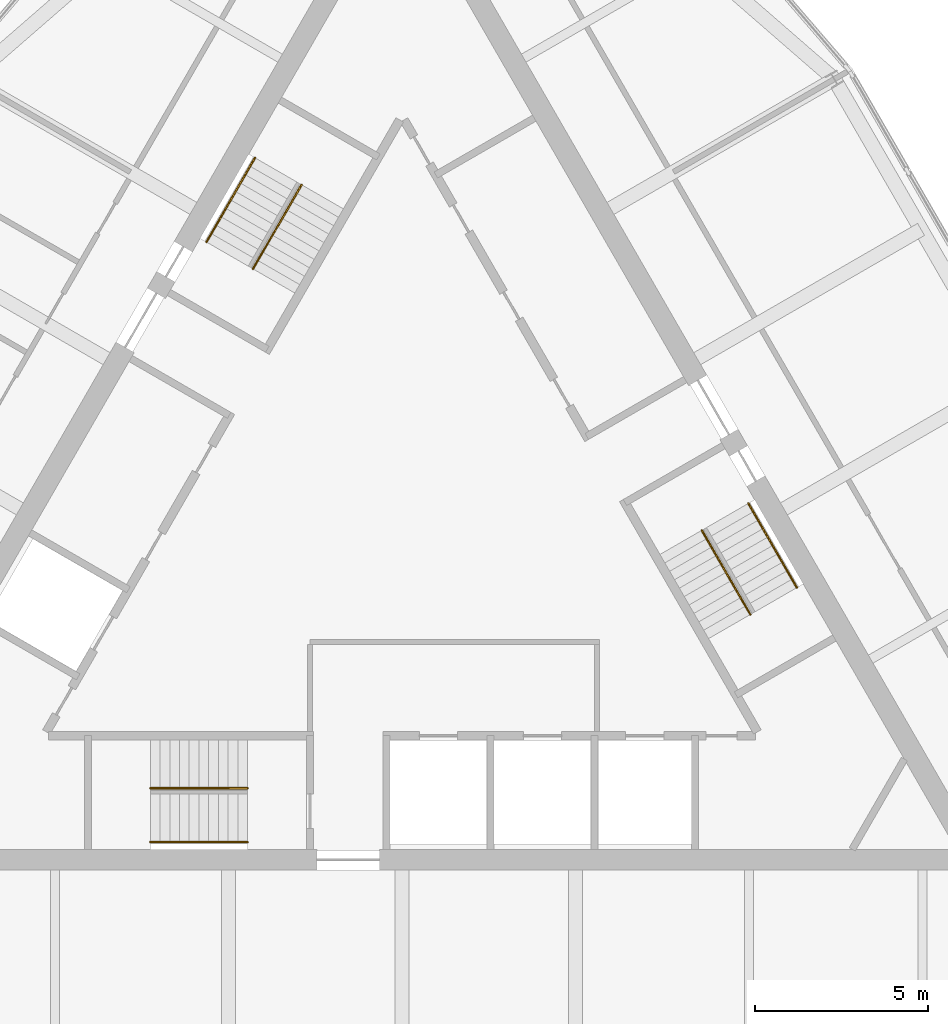
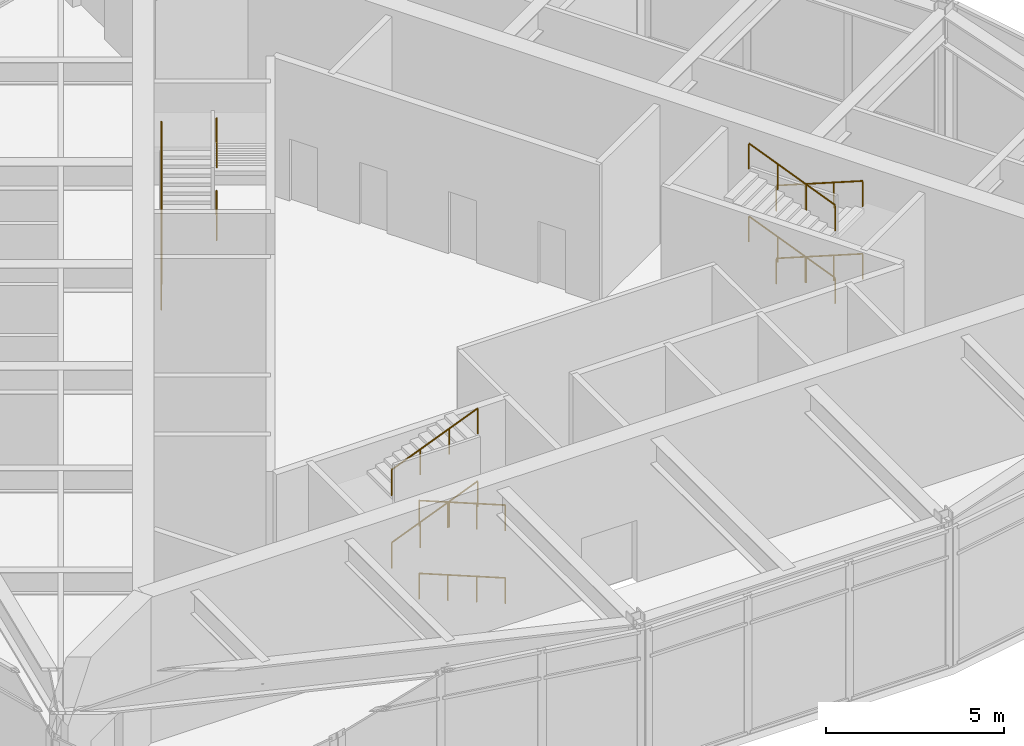
# One storey, part 9 of 9: 12 railings.
"""IFC4 building model written with IfcOpenShell, lengths in metres."""

from ifc_helpers import new_model, si_unit, direction, frame, origin, origin_2d, place, context, subcontext, project, spatial, circle, extrude, material, type_object, element, save


model = new_model("IFC4")

# Units and contexts
model_context = context("Model", 3, precision=1e-05, world=origin(), true_north=direction((0.0, 1.0)))
body_context = subcontext(model_context, "Body", "Model", "MODEL_VIEW")
ifc_project = project(units=[si_unit("LENGTHUNIT", "METRE"), si_unit("AREAUNIT", "SQUARE_METRE"), si_unit("VOLUMEUNIT", "CUBIC_METRE"), si_unit("PLANEANGLEUNIT", "RADIAN"), si_unit("MASSUNIT", "GRAM", prefix="KILO")], contexts=[model_context])

# Site, building, storey
site_placement = place(None, origin())
site = spatial("IfcSite", under=ifc_project, at=site_placement, CompositionType="ELEMENT")
building_placement = place(site_placement, origin())
building = spatial("IfcBuilding", under=site, at=building_placement, Name="Trikona Tower", CompositionType="ELEMENT")
storey_placement = place(building_placement, frame((0.0, 0.0, 292.800048828125)))
storey = spatial("IfcBuildingStorey", under=building, at=storey_placement, Name="L76", CompositionType="ELEMENT", Elevation=292.800048828125)

# Railings
ifc_material = material(Name="Stainless steel handrail", Category="steel")
railing_type = type_object("IfcRailingType", Name="Stair handrail", PredefinedType="HANDRAIL", material=ifc_material)
railing_1_placement = place(storey_placement, frame((-4.449951171875, -9.016357421875, 0.113525390625)))
element("IfcRailing", 1, at=railing_1_placement, inside=storey, type_object=railing_type, Name="Stair handrail A L76 1", PredefinedType="HANDRAIL", context=body_context, shape_type="SweptSolid", body=[
    extrude(circle(Radius=0.02392578125, at=origin_2d()), frame((0.0, 0.0, 0.8759765625), z_axis=(-0.926587139796, 0.0, 0.37608014088), x_axis=(0.0, -1.0, 0.0)), (0.0, 0.0, 1.0), 3.02197265625),
    extrude(circle(Radius=0.02099609375, at=origin_2d()), origin(), (0.0, 0.0, 1.0), 0.851806640625),
    extrude(circle(Radius=0.02099609375, at=origin_2d()), frame((-0.933349609375, 0.0, 0.37890625)), (0.0, 0.0, 1.0), 0.851806640625),
    extrude(circle(Radius=0.02099609375, at=origin_2d()), frame((-1.86669921875, 0.0, 0.757568359375)), (0.0, 0.0, 1.0), 0.851806640625),
    extrude(circle(Radius=0.02099609375, at=origin_2d()), frame((-2.800048828125, 0.0, 1.136474609375)), (0.0, 0.0, 1.0), 0.851806640625),
])
railing_2_placement = place(storey_placement, frame((-7.25, -7.46630859375, 1.363525390625)))
element("IfcRailing", 2, at=railing_2_placement, inside=storey, type_object=railing_type, Name="Stair handrail A L76 2", PredefinedType="HANDRAIL", context=body_context, shape_type="SweptSolid", body=[
    extrude(circle(Radius=0.02392578125, at=origin_2d()), frame((0.0, 0.0, 0.8759765625), z_axis=(0.926587139796, 0.0, 0.37608014088), x_axis=(0.0, 1.0, 0.0)), (0.0, 0.0, 1.0), 3.02197265625),
    extrude(circle(Radius=0.02099609375, at=origin_2d()), origin(), (0.0, 0.0, 1.0), 0.851806640625),
    extrude(circle(Radius=0.02099609375, at=origin_2d()), frame((0.933349609375, 0.0, 0.37890625)), (0.0, 0.0, 1.0), 0.851806640625),
    extrude(circle(Radius=0.02099609375, at=origin_2d()), frame((1.86669921875, 0.0, 0.757568359375)), (0.0, 0.0, 1.0), 0.851806640625),
    extrude(circle(Radius=0.02099609375, at=origin_2d()), frame((2.800048828125, 0.0, 1.136474609375)), (0.0, 0.0, 1.0), 0.851806640625),
])
railing_3_placement = place(storey_placement, frame((-4.449951171875, -9.016357421875, 2.613525390625)))
element("IfcRailing", 3, at=railing_3_placement, inside=storey, type_object=railing_type, Name="Stair handrail A L76 3", PredefinedType="HANDRAIL", context=body_context, shape_type="SweptSolid", body=[
    extrude(circle(Radius=0.02392578125, at=origin_2d()), frame((0.0, 0.0, 0.8759765625), z_axis=(-0.926587139796, 0.0, 0.37608014088), x_axis=(0.0, -1.0, 0.0)), (0.0, 0.0, 1.0), 3.02197265625),
    extrude(circle(Radius=0.02099609375, at=origin_2d()), origin(), (0.0, 0.0, 1.0), 0.851806640625),
    extrude(circle(Radius=0.02099609375, at=origin_2d()), frame((-0.933349609375, 0.0, 0.37890625)), (0.0, 0.0, 1.0), 0.851806640625),
    extrude(circle(Radius=0.02099609375, at=origin_2d()), frame((-1.86669921875, 0.0, 0.757568359375)), (0.0, 0.0, 1.0), 0.851806640625),
    extrude(circle(Radius=0.02099609375, at=origin_2d()), frame((-2.800048828125, 0.0, 1.136474609375)), (0.0, 0.0, 1.0), 0.851806640625),
])
railing_4_placement = place(storey_placement, frame((-7.25, -7.46630859375, 3.863525390625)))
element("IfcRailing", 4, at=railing_4_placement, inside=storey, type_object=railing_type, Name="Stair handrail A L76 4", PredefinedType="HANDRAIL", context=body_context, shape_type="SweptSolid", body=[
    extrude(circle(Radius=0.02392578125, at=origin_2d()), frame((0.0, 0.0, 0.8759765625), z_axis=(0.926587139796, 0.0, 0.37608014088), x_axis=(0.0, 1.0, 0.0)), (0.0, 0.0, 1.0), 3.02197265625),
    extrude(circle(Radius=0.02099609375, at=origin_2d()), origin(), (0.0, 0.0, 1.0), 0.851806640625),
    extrude(circle(Radius=0.02099609375, at=origin_2d()), frame((0.933349609375, 0.0, 0.37890625)), (0.0, 0.0, 1.0), 0.851806640625),
    extrude(circle(Radius=0.02099609375, at=origin_2d()), frame((1.86669921875, 0.0, 0.757568359375)), (0.0, 0.0, 1.0), 0.851806640625),
    extrude(circle(Radius=0.02099609375, at=origin_2d()), frame((2.800048828125, 0.0, 1.136474609375)), (0.0, 0.0, 1.0), 0.851806640625),
])
railing_5_placement = place(storey_placement, frame((9.9833984375, 0.740966796875, 0.113525390625)))
element("IfcRailing", 5, at=railing_5_placement, inside=storey, type_object=railing_type, Name="Stair handrail B L76 1", PredefinedType="HANDRAIL", context=body_context, shape_type="SweptSolid", body=[
    extrude(circle(Radius=0.02392578125, at=origin_2d()), frame((0.0, 0.0, 0.8759765625), z_axis=(0.463245186179, -0.802478973547, 0.376073655679), x_axis=(0.866056369097, 0.49994636267, 0.0)), (0.0, 0.0, 1.0), 3.02197265625),
    extrude(circle(Radius=0.02099609375, at=origin_2d()), origin(), (0.0, 0.0, 1.0), 0.851806640625),
    extrude(circle(Radius=0.02099609375, at=origin_2d()), frame((0.466552734375, -0.808349609375, 0.37890625)), (0.0, 0.0, 1.0), 0.851806640625),
    extrude(circle(Radius=0.02099609375, at=origin_2d()), frame((0.933349609375, -1.61669921875, 0.757568359375)), (0.0, 0.0, 1.0), 0.851806640625),
    extrude(circle(Radius=0.02099609375, at=origin_2d()), frame((1.39990234375, -2.425048828125, 1.136474609375)), (0.0, 0.0, 1.0), 0.851806640625),
])
railing_6_placement = place(storey_placement, frame((10.041015625, -2.458984375, 1.363525390625)))
element("IfcRailing", 6, at=railing_6_placement, inside=storey, type_object=railing_type, Name="Stair handrail B L76 2", PredefinedType="HANDRAIL", context=body_context, shape_type="SweptSolid", body=[
    extrude(circle(Radius=0.02392578125, at=origin_2d()), frame((0.0, 0.0, 0.8759765625), z_axis=(-0.463245186179, 0.802478973547, 0.376073655679), x_axis=(-0.866056369097, -0.49994636267, 0.0)), (0.0, 0.0, 1.0), 3.02197265625),
    extrude(circle(Radius=0.02099609375, at=origin_2d()), origin(), (0.0, 0.0, 1.0), 0.851806640625),
    extrude(circle(Radius=0.02099609375, at=origin_2d()), frame((-0.466552734375, 0.808349609375, 0.37890625)), (0.0, 0.0, 1.0), 0.851806640625),
    extrude(circle(Radius=0.02099609375, at=origin_2d()), frame((-0.933349609375, 1.61669921875, 0.757568359375)), (0.0, 0.0, 1.0), 0.851806640625),
    extrude(circle(Radius=0.02099609375, at=origin_2d()), frame((-1.39990234375, 2.425048828125, 1.136474609375)), (0.0, 0.0, 1.0), 0.851806640625),
])
railing_7_placement = place(storey_placement, frame((9.9833984375, 0.740966796875, 2.613525390625)))
element("IfcRailing", 7, at=railing_7_placement, inside=storey, type_object=railing_type, Name="Stair handrail B L76 3", PredefinedType="HANDRAIL", context=body_context, shape_type="SweptSolid", body=[
    extrude(circle(Radius=0.02392578125, at=origin_2d()), frame((0.0, 0.0, 0.8759765625), z_axis=(0.463245186179, -0.802478973547, 0.376073655679), x_axis=(0.866056369097, 0.49994636267, 0.0)), (0.0, 0.0, 1.0), 3.02197265625),
    extrude(circle(Radius=0.02099609375, at=origin_2d()), origin(), (0.0, 0.0, 1.0), 0.851806640625),
    extrude(circle(Radius=0.02099609375, at=origin_2d()), frame((0.466552734375, -0.808349609375, 0.37890625)), (0.0, 0.0, 1.0), 0.851806640625),
    extrude(circle(Radius=0.02099609375, at=origin_2d()), frame((0.933349609375, -1.61669921875, 0.757568359375)), (0.0, 0.0, 1.0), 0.851806640625),
    extrude(circle(Radius=0.02099609375, at=origin_2d()), frame((1.39990234375, -2.425048828125, 1.136474609375)), (0.0, 0.0, 1.0), 0.851806640625),
])
railing_8_placement = place(storey_placement, frame((10.041015625, -2.458984375, 3.863525390625)))
element("IfcRailing", 8, at=railing_8_placement, inside=storey, type_object=railing_type, Name="Stair handrail B L76 4", PredefinedType="HANDRAIL", context=body_context, shape_type="SweptSolid", body=[
    extrude(circle(Radius=0.02392578125, at=origin_2d()), frame((0.0, 0.0, 0.8759765625), z_axis=(-0.463245186179, 0.802478973547, 0.376073655679), x_axis=(-0.866056369097, -0.49994636267, 0.0)), (0.0, 0.0, 1.0), 3.02197265625),
    extrude(circle(Radius=0.02099609375, at=origin_2d()), origin(), (0.0, 0.0, 1.0), 0.851806640625),
    extrude(circle(Radius=0.02099609375, at=origin_2d()), frame((-0.466552734375, 0.808349609375, 0.37890625)), (0.0, 0.0, 1.0), 0.851806640625),
    extrude(circle(Radius=0.02099609375, at=origin_2d()), frame((-0.933349609375, 1.61669921875, 0.757568359375)), (0.0, 0.0, 1.0), 0.851806640625),
    extrude(circle(Radius=0.02099609375, at=origin_2d()), frame((-1.39990234375, 2.425048828125, 1.136474609375)), (0.0, 0.0, 1.0), 0.851806640625),
])
railing_9_placement = place(storey_placement, frame((-5.63330078125, 8.275390625, 0.113525390625)))
element("IfcRailing", 9, at=railing_9_placement, inside=storey, type_object=railing_type, Name="Stair handrail C L76 1", PredefinedType="HANDRAIL", context=body_context, shape_type="SweptSolid", body=[
    extrude(circle(Radius=0.02392578125, at=origin_2d()), frame((0.0, 0.0, 0.8759765625), z_axis=(0.463275220525, 0.802450207579, 0.376098038288), x_axis=(-0.866034573852, 0.49998411664, 0.0)), (0.0, 0.0, 1.0), 3.021728515625),
    extrude(circle(Radius=0.02099609375, at=origin_2d()), origin(), (0.0, 0.0, 1.0), 0.851806640625),
    extrude(circle(Radius=0.02099609375, at=origin_2d()), frame((0.466552734375, 0.808349609375, 0.37890625)), (0.0, 0.0, 1.0), 0.851806640625),
    extrude(circle(Radius=0.02099609375, at=origin_2d()), frame((0.933349609375, 1.616455078125, 0.757568359375)), (0.0, 0.0, 1.0), 0.851806640625),
    extrude(circle(Radius=0.02099609375, at=origin_2d()), frame((1.39990234375, 2.4248046875, 1.136474609375)), (0.0, 0.0, 1.0), 0.851806640625),
])
railing_10_placement = place(storey_placement, frame((-2.89111328125, 9.92529296875, 1.363525390625)))
element("IfcRailing", 10, at=railing_10_placement, inside=storey, type_object=railing_type, Name="Stair handrail C L76 2", PredefinedType="HANDRAIL", context=body_context, shape_type="SweptSolid", body=[
    extrude(circle(Radius=0.02392578125, at=origin_2d()), frame((0.0, 0.0, 0.8759765625), z_axis=(-0.463245186179, -0.802478973547, 0.376073655679), x_axis=(0.866056369097, -0.49994636267, 0.0)), (0.0, 0.0, 1.0), 3.02197265625),
    extrude(circle(Radius=0.02099609375, at=origin_2d()), origin(), (0.0, 0.0, 1.0), 0.851806640625),
    extrude(circle(Radius=0.02099609375, at=origin_2d()), frame((-0.466552734375, -0.808349609375, 0.37890625)), (0.0, 0.0, 1.0), 0.851806640625),
    extrude(circle(Radius=0.02099609375, at=origin_2d()), frame((-0.933349609375, -1.61669921875, 0.757568359375)), (0.0, 0.0, 1.0), 0.851806640625),
    extrude(circle(Radius=0.02099609375, at=origin_2d()), frame((-1.39990234375, -2.425048828125, 1.136474609375)), (0.0, 0.0, 1.0), 0.851806640625),
])
railing_11_placement = place(storey_placement, frame((-5.63330078125, 8.275390625, 2.613525390625)))
element("IfcRailing", 11, at=railing_11_placement, inside=storey, type_object=railing_type, Name="Stair handrail C L76 3", PredefinedType="HANDRAIL", context=body_context, shape_type="SweptSolid", body=[
    extrude(circle(Radius=0.02392578125, at=origin_2d()), frame((0.0, 0.0, 0.8759765625), z_axis=(0.463275220525, 0.802450207579, 0.376098038288), x_axis=(-0.866034573852, 0.49998411664, 0.0)), (0.0, 0.0, 1.0), 3.021728515625),
    extrude(circle(Radius=0.02099609375, at=origin_2d()), origin(), (0.0, 0.0, 1.0), 0.851806640625),
    extrude(circle(Radius=0.02099609375, at=origin_2d()), frame((0.466552734375, 0.808349609375, 0.37890625)), (0.0, 0.0, 1.0), 0.851806640625),
    extrude(circle(Radius=0.02099609375, at=origin_2d()), frame((0.933349609375, 1.616455078125, 0.757568359375)), (0.0, 0.0, 1.0), 0.851806640625),
    extrude(circle(Radius=0.02099609375, at=origin_2d()), frame((1.39990234375, 2.4248046875, 1.136474609375)), (0.0, 0.0, 1.0), 0.851806640625),
])
railing_12_placement = place(storey_placement, frame((-2.89111328125, 9.92529296875, 3.863525390625)))
element("IfcRailing", 12, at=railing_12_placement, inside=storey, type_object=railing_type, Name="Stair handrail C L76 4", PredefinedType="HANDRAIL", context=body_context, shape_type="SweptSolid", body=[
    extrude(circle(Radius=0.02392578125, at=origin_2d()), frame((0.0, 0.0, 0.8759765625), z_axis=(-0.463245186179, -0.802478973547, 0.376073655679), x_axis=(0.866056369097, -0.49994636267, 0.0)), (0.0, 0.0, 1.0), 3.02197265625),
    extrude(circle(Radius=0.02099609375, at=origin_2d()), origin(), (0.0, 0.0, 1.0), 0.851806640625),
    extrude(circle(Radius=0.02099609375, at=origin_2d()), frame((-0.466552734375, -0.808349609375, 0.37890625)), (0.0, 0.0, 1.0), 0.851806640625),
    extrude(circle(Radius=0.02099609375, at=origin_2d()), frame((-0.933349609375, -1.61669921875, 0.757568359375)), (0.0, 0.0, 1.0), 0.851806640625),
    extrude(circle(Radius=0.02099609375, at=origin_2d()), frame((-1.39990234375, -2.425048828125, 1.136474609375)), (0.0, 0.0, 1.0), 0.851806640625),
])

save(model, "model.ifc")
